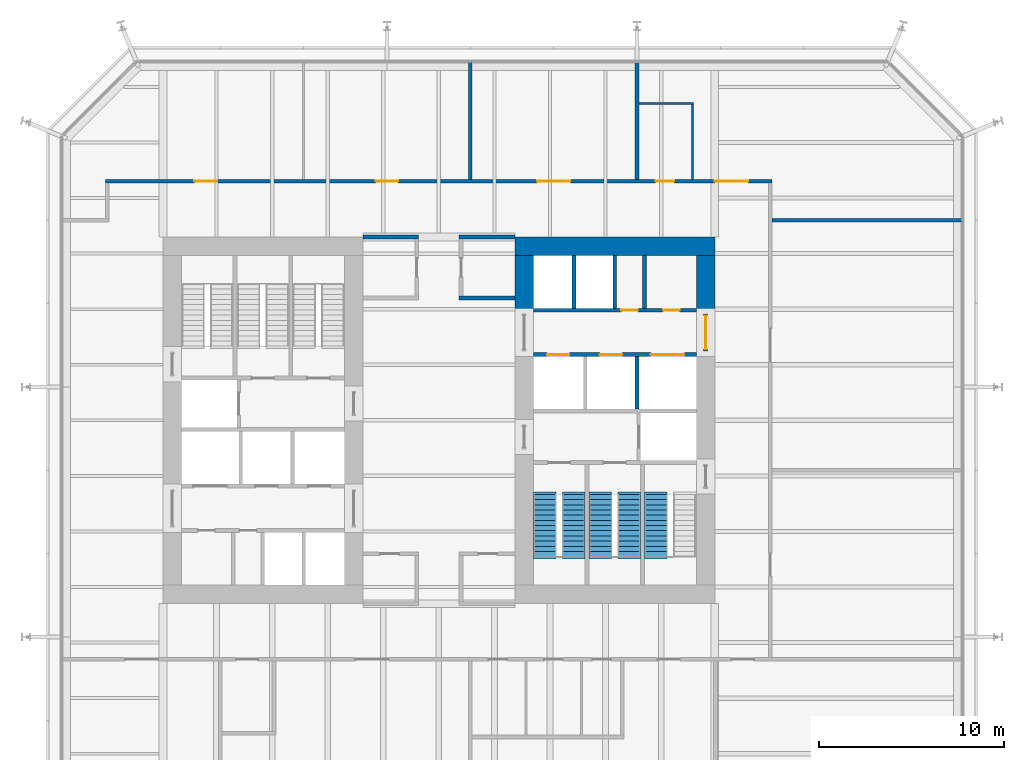
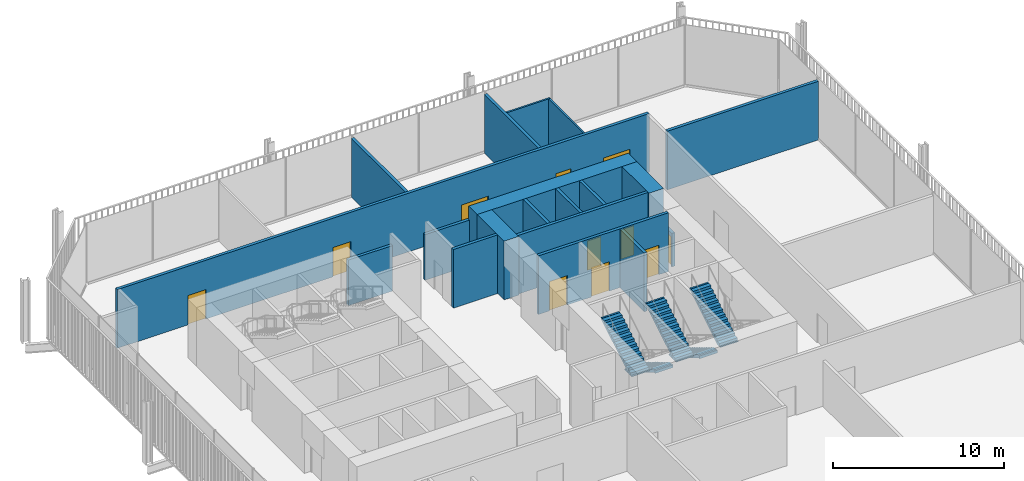
# One storey, part 18 of 20: 19 walls, 11 doors, 5 stair flights, 11 openings, 3 elements without a shape of their own.
"""IFC4 building model written with IfcOpenShell, lengths in metres."""

from ifc_helpers import new_model, si_unit, direction, frame, frame_2d, origin, place, context, subcontext, project, spatial, polyline, rectangle, outline, extrude, material, layer, layer_set, type_object, element, fill, aggregate, save


model = new_model("IFC4")

# Units and contexts
model_context = context("Model", 3, precision=1e-05, world=origin(), true_north=direction((0.0, 1.0)))
body_context = subcontext(model_context, "Body", "Model", "MODEL_VIEW")
ifc_project = project(units=[si_unit("LENGTHUNIT", "METRE"), si_unit("AREAUNIT", "SQUARE_METRE"), si_unit("VOLUMEUNIT", "CUBIC_METRE"), si_unit("PLANEANGLEUNIT", "RADIAN"), si_unit("MASSUNIT", "GRAM", prefix="KILO")], contexts=[model_context])

# Site, building, storey
site_placement = place(None, origin())
site = spatial("IfcSite", under=ifc_project, at=site_placement, CompositionType="ELEMENT")
building_placement = place(site_placement, origin())
building = spatial("IfcBuilding", under=site, at=building_placement, Name="Millrace Tower", CompositionType="ELEMENT")
storey_placement = place(building_placement, frame((0.0, 0.0, 77.60009765625)))
storey = spatial("IfcBuildingStorey", under=building, at=storey_placement, Name="L17", CompositionType="ELEMENT", Elevation=77.60009765625)

# Walls
ifc_material_1 = material(Name="Concrete C80", Category="concrete")
ifc_layer_1 = layer(ifc_material_1, 1.0)
ifc_layer_set_1 = layer_set([ifc_layer_1], Name="Concrete C80")
wall_type_1 = type_object("IfcWallType", Name="Core wall 1000 Concrete C80", PredefinedType="SHEAR", material=ifc_layer_set_1)
wall_1_placement = place(storey_placement, frame((14.89990234375, 9.39990234375, 0.0), z_axis=(0.0, 0.0, 1.0), x_axis=(-1.0, 0.0, 0.0)))
element("IfcWall", 1, at=wall_1_placement, inside=storey, type_object=wall_type_1, Name="Core wall E L17", PredefinedType="SHEAR", context=body_context, shape_type="SweptSolid", body=[
    extrude(rectangle(XDim=10.7998046875, YDim=1.0, at=frame_2d((5.39990234375, 0.0))), origin(), (0.0, 0.0, 1.0), 4.199951171875),
])
for number, where, z_axis, x_axis, name in (
    (2, (14.39990234375, 8.89990234375, 0.0), (0.0, 0.0, 1.0), (0.0, -1.0, 0.0), "Core wall E L17"),
    (3, (4.60009765625, 8.89990234375, 0.0), (0.0, 0.0, 1.0), (0.0, -1.0, 0.0), "Core wall E L17"),
):
    element("IfcWall", number, at=place(storey_placement, frame(where, z_axis=z_axis, x_axis=x_axis)), inside=storey, type_object=wall_type_1, Name=name, PredefinedType="SHEAR", context=body_context, shape_type="SweptSolid", body=[
        extrude(rectangle(XDim=3.14990234375, YDim=1.0, at=frame_2d((1.574951171875, 0.0))), origin(), (0.0, 0.0, 1.0), 4.199951171875),
    ])
ifc_material_2 = material(Name="Masonry partition, fire-rated", Category="masonry")
ifc_layer_2 = layer(ifc_material_2, 0.199951171875)
ifc_layer_set_2 = layer_set([ifc_layer_2], Name="Masonry partition, fire-rated")
wall_type_2 = type_object("IfcWallType", Name="Corridor wall 200", PredefinedType="PARTITIONING", material=ifc_layer_set_2)
wall_2_placement = place(storey_placement, frame((1.10009765625, 6.60009765625, 0.0), z_axis=(0.0, 0.0, 1.0), x_axis=(1.0, 0.0, 0.0)))
element("IfcWall", 4, at=wall_2_placement, inside=storey, type_object=wall_type_2, Name="Corridor wall L17", PredefinedType="PARTITIONING", context=body_context, shape_type="SweptSolid", body=[
    extrude(rectangle(XDim=3.0, YDim=0.199951171875, at=frame_2d((1.5, 0.0))), origin(), (0.0, 0.0, 1.0), 4.199951171875),
])
for number, where, z_axis, x_axis, name in (
    (5, (-4.10009765625, 9.89990234375, 0.0), (0.0, 0.0, 1.0), (1.0, 0.0, 0.0), "Corridor wall L17"),
    (6, (1.10009765625, 9.89990234375, 0.0), (0.0, 0.0, 1.0), (1.0, 0.0, 0.0), "Corridor wall L17"),
):
    element("IfcWall", number, at=place(storey_placement, frame(where, z_axis=z_axis, x_axis=x_axis)), inside=storey, type_object=wall_type_2, Name=name, PredefinedType="PARTITIONING", context=body_context, shape_type="SweptSolid", body=[
        extrude(rectangle(XDim=3.0, YDim=0.199951171875, at=frame_2d((1.5, 0.0))), origin(), (0.0, 0.0, 1.0), 3.2626953125),
    ])
wall_3_placement = place(storey_placement, frame((18.0, 10.800048828125, 0.0), z_axis=(0.0, 0.0, 1.0), x_axis=(1.0, 0.0, 0.0)))
element("IfcWall", 7, at=wall_3_placement, inside=storey, type_object=wall_type_2, Name="Corridor wall L17", PredefinedType="PARTITIONING", context=body_context, shape_type="SweptSolid", body=[
    extrude(rectangle(XDim=10.22998046875, YDim=0.199951171875, at=frame_2d((5.114990234375, 0.0))), origin(), (0.0, 0.0, 1.0), 4.199951171875),
])

# Wall, openings, doors
wall_4_placement = place(storey_placement, frame((-18.0, 12.89990234375, 0.0), z_axis=(0.0, 0.0, 1.0), x_axis=(1.0, 0.0, 0.0)))
wall_4 = element("IfcWall", 8, at=wall_4_placement, inside=storey, type_object=wall_type_2, Name="Corridor wall L17", PredefinedType="PARTITIONING", context=body_context, shape_type="SweptSolid", body=[
    extrude(rectangle(XDim=36.0, YDim=0.199951171875, at=frame_2d((18.0, 0.0))), origin(), (0.0, 0.0, 1.0), 4.199951171875),
])
opening_1_placement = place(wall_4_placement, frame((4.800048828125, 0.0, 0.0)))
opening_1 = element("IfcOpeningElement", 9, at=opening_1_placement, cuts=wall_4, Name="Opening 17-P010", PredefinedType="OPENING", context=body_context, shape_type="SweptSolid", body=[
    extrude(rectangle(XDim=1.199951171875, YDim=2.10009765625, at=frame_2d((0.60009765625, 1.050048828125))), frame((0.0, 0.10986328125, 0.0), z_axis=(0.0, -1.0, 0.0), x_axis=(1.0, 0.0, 0.0)), (0.0, 0.0, 1.0), 0.219970703125),
])
opening_2_placement = place(wall_4_placement, frame((14.60009765625, 0.0, 0.0)))
opening_2 = element("IfcOpeningElement", 10, at=opening_2_placement, cuts=wall_4, Name="Opening 17-P011", PredefinedType="OPENING", context=body_context, shape_type="SweptSolid", body=[
    extrude(rectangle(XDim=1.199951171875, YDim=2.10009765625, at=frame_2d((0.60009765625, 1.050048828125))), frame((0.0, 0.10986328125, 0.0), z_axis=(0.0, -1.0, 0.0), x_axis=(1.0, 0.0, 0.0)), (0.0, 0.0, 1.0), 0.219970703125),
])
opening_3_placement = place(wall_4_placement, frame((23.300048828125, 0.0, 0.0)))
opening_3 = element("IfcOpeningElement", 11, at=opening_3_placement, cuts=wall_4, Name="Opening 17-P012", PredefinedType="OPENING", context=body_context, shape_type="SweptSolid", body=[
    extrude(rectangle(XDim=1.800048828125, YDim=2.10009765625, at=frame_2d((0.89990234375, 1.050048828125))), frame((0.0, 0.10986328125, 0.0), z_axis=(0.0, -1.0, 0.0), x_axis=(1.0, 0.0, 0.0)), (0.0, 0.0, 1.0), 0.219970703125),
])
opening_4_placement = place(wall_4_placement, frame((32.89990234375, 0.0, 0.0)))
opening_4 = element("IfcOpeningElement", 12, at=opening_4_placement, cuts=wall_4, Name="Opening 17-P013", PredefinedType="OPENING", context=body_context, shape_type="SweptSolid", body=[
    extrude(rectangle(XDim=1.800048828125, YDim=2.10009765625, at=frame_2d((0.89990234375, 1.050048828125))), frame((0.0, 0.10986328125, 0.0), z_axis=(0.0, -1.0, 0.0), x_axis=(1.0, 0.0, 0.0)), (0.0, 0.0, 1.0), 0.219970703125),
])
opening_5_placement = place(wall_4_placement, frame((29.699951171875, 0.0, 0.0)))
opening_5 = element("IfcOpeningElement", 13, at=opening_5_placement, cuts=wall_4, Name="Opening 17-P014", PredefinedType="OPENING", context=body_context, shape_type="SweptSolid", body=[
    extrude(rectangle(XDim=1.0, YDim=2.10009765625, at=frame_2d((0.5, 1.050048828125))), frame((0.0, 0.10986328125, 0.0), z_axis=(0.0, -1.0, 0.0), x_axis=(1.0, 0.0, 0.0)), (0.0, 0.0, 1.0), 0.219970703125),
])
ifc_material_3 = material(Name="Steel door set, fire-rated", Category="steel")
door_type_1 = type_object("IfcDoorType", Name="Corridor door 1000 x 2100", OperationType="SINGLE_SWING_LEFT", PredefinedType="DOOR", material=ifc_material_3)
door_1_placement = place(opening_5_placement, origin())
door_1 = element("IfcDoor", 14, at=door_1_placement, inside=storey, type_object=door_type_1, Name="Door 17-P014", OperationType="SINGLE_SWING_RIGHT", OverallHeight=2.10009765625, OverallWidth=1.0, PredefinedType="DOOR", context=body_context, shape_type="SweptSolid", body=[
    extrude(rectangle(XDim=1.0, YDim=2.10009765625, at=frame_2d((0.5, 1.050048828125))), frame((0.0, 0.02490234375, 0.0), z_axis=(0.0, -1.0, 0.0), x_axis=(1.0, 0.0, 0.0)), (0.0, 0.0, 1.0), 0.050048828125),
])
fill(opening_5, door_1)
ifc_material_4 = material(Name="Steel door set, fire-rated", Category="steel")
door_type_2 = type_object("IfcDoorType", Name="Corridor door 1200 x 2100", OperationType="SINGLE_SWING_LEFT", PredefinedType="DOOR", material=ifc_material_4)
door_2_placement = place(opening_1_placement, origin())
door_2 = element("IfcDoor", 15, at=door_2_placement, inside=storey, type_object=door_type_2, Name="Door 17-P010", OperationType="SINGLE_SWING_LEFT", OverallHeight=2.10009765625, OverallWidth=1.199951171875, PredefinedType="DOOR", context=body_context, shape_type="SweptSolid", body=[
    extrude(rectangle(XDim=1.199951171875, YDim=2.10009765625, at=frame_2d((0.60009765625, 1.050048828125))), frame((0.0, 0.02490234375, 0.0), z_axis=(0.0, -1.0, 0.0), x_axis=(1.0, 0.0, 0.0)), (0.0, 0.0, 1.0), 0.050048828125),
])
fill(opening_1, door_2)
door_3_placement = place(opening_2_placement, origin())
door_3 = element("IfcDoor", 16, at=door_3_placement, inside=storey, type_object=door_type_2, Name="Door 17-P011", OperationType="SINGLE_SWING_LEFT", OverallHeight=2.10009765625, OverallWidth=1.199951171875, PredefinedType="DOOR", context=body_context, shape_type="SweptSolid", body=[
    extrude(rectangle(XDim=1.199951171875, YDim=2.10009765625, at=frame_2d((0.60009765625, 1.050048828125))), frame((0.0, 0.02490234375, 0.0), z_axis=(0.0, -1.0, 0.0), x_axis=(1.0, 0.0, 0.0)), (0.0, 0.0, 1.0), 0.050048828125),
])
fill(opening_2, door_3)
ifc_material_5 = material(Name="Steel door set, fire-rated", Category="steel")
door_type_3 = type_object("IfcDoorType", Name="Corridor door 1800 x 2100", OperationType="DOUBLE_DOOR_SINGLE_SWING", PredefinedType="DOOR", material=ifc_material_5)
door_4_placement = place(opening_4_placement, origin())
door_4 = element("IfcDoor", 17, at=door_4_placement, inside=storey, type_object=door_type_3, Name="Door 17-P013", OperationType="DOUBLE_DOOR_SINGLE_SWING", OverallHeight=2.10009765625, OverallWidth=1.800048828125, PredefinedType="DOOR", context=body_context, shape_type="SweptSolid", body=[
    extrude(rectangle(XDim=1.800048828125, YDim=2.10009765625, at=frame_2d((0.89990234375, 1.050048828125))), frame((0.0, 0.02490234375, 0.0), z_axis=(0.0, -1.0, 0.0), x_axis=(1.0, 0.0, 0.0)), (0.0, 0.0, 1.0), 0.050048828125),
])
fill(opening_4, door_4)
ifc_material_6 = material(Name="Steel door set, fire-rated", Category="steel")
door_type_4 = type_object("IfcDoorType", Name="Data hall door 1800 x 2100", OperationType="DOUBLE_DOOR_SINGLE_SWING", PredefinedType="DOOR", material=ifc_material_6)
door_5_placement = place(opening_3_placement, origin())
door_5 = element("IfcDoor", 18, at=door_5_placement, inside=storey, type_object=door_type_4, Name="Door 17-P012", OperationType="DOUBLE_DOOR_SINGLE_SWING", OverallHeight=2.10009765625, OverallWidth=1.800048828125, PredefinedType="DOOR", context=body_context, shape_type="SweptSolid", body=[
    extrude(rectangle(XDim=1.800048828125, YDim=2.10009765625, at=frame_2d((0.89990234375, 1.050048828125))), frame((0.0, 0.02490234375, 0.0), z_axis=(0.0, -1.0, 0.0), x_axis=(1.0, 0.0, 0.0)), (0.0, 0.0, 1.0), 0.050048828125),
])
fill(opening_3, door_5)

# Walls
for number, where, z_axis, x_axis, name in (
    (19, (10.699951171875, 13.0, 0.0), (0.0, 0.0, 1.0), (0.0, 1.0, 0.0), "Corridor wall L17"),
    (20, (1.699951171875, 13.0, 0.0), (0.0, 0.0, 1.0), (0.0, 1.0, 0.0), "Corridor wall L17"),
):
    element("IfcWall", number, at=place(storey_placement, frame(where, z_axis=z_axis, x_axis=x_axis)), inside=storey, type_object=wall_type_2, Name=name, PredefinedType="PARTITIONING", context=body_context, shape_type="SweptSolid", body=[
        extrude(rectangle(XDim=6.330078125, YDim=0.199951171875, at=frame_2d((3.1650390625, 0.0))), origin(), (0.0, 0.0, 1.0), 4.199951171875),
    ])

# Wall, openings, doors
ifc_material_7 = material(Name="Masonry partition, fire-rated", Category="masonry")
ifc_layer_3 = layer(ifc_material_7, 0.199951171875)
ifc_layer_set_3 = layer_set([ifc_layer_3], Name="Masonry partition, fire-rated")
wall_type_3 = type_object("IfcWallType", Name="Lift shaft wall 200", PredefinedType="PARTITIONING", material=ifc_layer_set_3)
wall_5_placement = place(storey_placement, frame((13.89990234375, 5.949951171875, 0.0), z_axis=(0.0, 0.0, 1.0), x_axis=(-1.0, 0.0, 0.0)))
wall_5 = element("IfcWall", 21, at=wall_5_placement, inside=storey, type_object=wall_type_3, Name="Lift shaft wall E L17", PredefinedType="PARTITIONING", context=body_context, shape_type="SweptSolid", body=[
    extrude(rectangle(XDim=8.7998046875, YDim=0.199951171875, at=frame_2d((4.39990234375, 0.0))), origin(), (0.0, 0.0, 1.0), 4.199951171875),
])
opening_6_placement = place(wall_5_placement, frame((0.8974609375, 0.0, 0.0)))
opening_6 = element("IfcOpeningElement", 22, at=opening_6_placement, cuts=wall_5, Name="Opening 17-C013", PredefinedType="OPENING", context=body_context, shape_type="SweptSolid", body=[
    extrude(rectangle(XDim=0.89990234375, YDim=2.10009765625, at=frame_2d((0.449951171875, 1.050048828125))), frame((0.0, 0.10986328125, 0.0), z_axis=(0.0, -1.0, 0.0), x_axis=(1.0, 0.0, 0.0)), (0.0, 0.0, 1.0), 0.219970703125),
])
opening_7_placement = place(wall_5_placement, frame((3.1474609375, 0.0, 0.0)))
opening_7 = element("IfcOpeningElement", 23, at=opening_7_placement, cuts=wall_5, Name="Opening 17-C014", PredefinedType="OPENING", context=body_context, shape_type="SweptSolid", body=[
    extrude(rectangle(XDim=0.89990234375, YDim=2.10009765625, at=frame_2d((0.449951171875, 1.050048828125))), frame((0.0, 0.10986328125, 0.0), z_axis=(0.0, -1.0, 0.0), x_axis=(1.0, 0.0, 0.0)), (0.0, 0.0, 1.0), 0.219970703125),
])
ifc_material_8 = material(Name="Steel door, fire-rated", Category="steel")
door_type_5 = type_object("IfcDoorType", Name="Service room door 900 x 2100", OperationType="SINGLE_SWING_LEFT", PredefinedType="DOOR", material=ifc_material_8)
door_6_placement = place(opening_6_placement, frame((0.89990234375, 0.0, 0.0), z_axis=(0.0, 0.0, 1.0), x_axis=(-1.0, 0.0, 0.0)))
door_6 = element("IfcDoor", 24, at=door_6_placement, inside=storey, type_object=door_type_5, Name="Service room door 17-C013", OperationType="SINGLE_SWING_RIGHT", OverallHeight=2.10009765625, OverallWidth=0.89990234375, PredefinedType="DOOR", context=body_context, shape_type="SweptSolid", body=[
    extrude(rectangle(XDim=0.89990234375, YDim=2.10009765625, at=frame_2d((0.449951171875, 1.050048828125))), frame((0.0, 0.02490234375, 0.0), z_axis=(0.0, -1.0, 0.0), x_axis=(1.0, 0.0, 0.0)), (0.0, 0.0, 1.0), 0.050048828125),
])
fill(opening_6, door_6)
door_7_placement = place(opening_7_placement, frame((0.89990234375, 0.0, 0.0), z_axis=(0.0, 0.0, 1.0), x_axis=(-1.0, 0.0, 0.0)))
door_7 = element("IfcDoor", 25, at=door_7_placement, inside=storey, type_object=door_type_5, Name="Service room door 17-C014", OperationType="SINGLE_SWING_RIGHT", OverallHeight=2.10009765625, OverallWidth=0.89990234375, PredefinedType="DOOR", context=body_context, shape_type="SweptSolid", body=[
    extrude(rectangle(XDim=0.89990234375, YDim=2.10009765625, at=frame_2d((0.449951171875, 1.050048828125))), frame((0.0, 0.02490234375, 0.0), z_axis=(0.0, -1.0, 0.0), x_axis=(1.0, 0.0, 0.0)), (0.0, 0.0, 1.0), 0.050048828125),
])
fill(opening_7, door_7)

wall_6_placement = place(storey_placement, frame((13.89990234375, 3.550048828125, 0.0), z_axis=(0.0, 0.0, 1.0), x_axis=(-1.0, 0.0, 0.0)))
wall_6 = element("IfcWall", 26, at=wall_6_placement, inside=storey, type_object=wall_type_3, Name="Lift shaft wall E L17", PredefinedType="PARTITIONING", context=body_context, shape_type="SweptSolid", body=[
    extrude(rectangle(XDim=8.7998046875, YDim=0.199951171875, at=frame_2d((4.39990234375, 0.0))), origin(), (0.0, 0.0, 1.0), 4.199951171875),
])
opening_8_placement = place(wall_6_placement, frame((0.64990234375, 0.0, 0.0)))
opening_8 = element("IfcOpeningElement", 27, at=opening_8_placement, cuts=wall_6, Name="Opening 17-LD13", PredefinedType="OPENING", context=body_context, shape_type="SweptSolid", body=[
    extrude(rectangle(XDim=1.800048828125, YDim=2.10009765625, at=frame_2d((0.89990234375, 1.050048828125))), frame((0.0, 0.10986328125, 0.0), z_axis=(0.0, -1.0, 0.0), x_axis=(1.0, 0.0, 0.0)), (0.0, 0.0, 1.0), 0.219970703125),
])
opening_9_placement = place(wall_6_placement, frame((4.0, 0.0, 0.0)))
opening_9 = element("IfcOpeningElement", 28, at=opening_9_placement, cuts=wall_6, Name="Opening 17-LD14", PredefinedType="OPENING", context=body_context, shape_type="SweptSolid", body=[
    extrude(rectangle(XDim=1.199951171875, YDim=2.10009765625, at=frame_2d((0.60009765625, 1.050048828125))), frame((0.0, 0.10986328125, 0.0), z_axis=(0.0, -1.0, 0.0), x_axis=(1.0, 0.0, 0.0)), (0.0, 0.0, 1.0), 0.219970703125),
])
opening_10_placement = place(wall_6_placement, frame((6.85009765625, 0.0, 0.0)))
opening_10 = element("IfcOpeningElement", 29, at=opening_10_placement, cuts=wall_6, Name="Opening 17-LD15", PredefinedType="OPENING", context=body_context, shape_type="SweptSolid", body=[
    extrude(rectangle(XDim=1.199951171875, YDim=2.10009765625, at=frame_2d((0.60009765625, 1.050048828125))), frame((0.0, 0.10986328125, 0.0), z_axis=(0.0, -1.0, 0.0), x_axis=(1.0, 0.0, 0.0)), (0.0, 0.0, 1.0), 0.219970703125),
])
ifc_material_9 = material(Name="Stainless steel, fire-rated", Category="steel")
door_type_6 = type_object("IfcDoorType", Name="Lift landing door 1200 x 2100", OperationType="DOUBLE_DOOR_SLIDING", PredefinedType="DOOR", material=ifc_material_9)
door_8_placement = place(opening_9_placement, origin())
door_8 = element("IfcDoor", 30, at=door_8_placement, inside=storey, type_object=door_type_6, Name="Lift landing door LF14 L17", OperationType="DOUBLE_DOOR_SLIDING", OverallHeight=2.10009765625, OverallWidth=1.199951171875, PredefinedType="DOOR", context=body_context, shape_type="SweptSolid", body=[
    extrude(rectangle(XDim=1.199951171875, YDim=2.10009765625, at=frame_2d((0.60009765625, 1.050048828125))), frame((0.0, 0.02490234375, 0.0), z_axis=(0.0, -1.0, 0.0), x_axis=(1.0, 0.0, 0.0)), (0.0, 0.0, 1.0), 0.050048828125),
])
fill(opening_9, door_8)
door_9_placement = place(opening_10_placement, origin())
door_9 = element("IfcDoor", 31, at=door_9_placement, inside=storey, type_object=door_type_6, Name="Lift landing door LF15 L17", OperationType="DOUBLE_DOOR_SLIDING", OverallHeight=2.10009765625, OverallWidth=1.199951171875, PredefinedType="DOOR", context=body_context, shape_type="SweptSolid", body=[
    extrude(rectangle(XDim=1.199951171875, YDim=2.10009765625, at=frame_2d((0.60009765625, 1.050048828125))), frame((0.0, 0.02490234375, 0.0), z_axis=(0.0, -1.0, 0.0), x_axis=(1.0, 0.0, 0.0)), (0.0, 0.0, 1.0), 0.050048828125),
])
fill(opening_10, door_9)
ifc_material_10 = material(Name="Stainless steel, fire-rated", Category="steel")
door_type_7 = type_object("IfcDoorType", Name="Lift landing door 1800 x 2100", OperationType="DOUBLE_DOOR_SLIDING", PredefinedType="DOOR", material=ifc_material_10)
door_10_placement = place(opening_8_placement, origin())
door_10 = element("IfcDoor", 32, at=door_10_placement, inside=storey, type_object=door_type_7, Name="Lift landing door LF13 L17", OperationType="DOUBLE_DOOR_SLIDING", OverallHeight=2.10009765625, OverallWidth=1.800048828125, PredefinedType="DOOR", context=body_context, shape_type="SweptSolid", body=[
    extrude(rectangle(XDim=1.800048828125, YDim=2.10009765625, at=frame_2d((0.89990234375, 1.050048828125))), frame((0.0, 0.02490234375, 0.0), z_axis=(0.0, -1.0, 0.0), x_axis=(1.0, 0.0, 0.0)), (0.0, 0.0, 1.0), 0.050048828125),
])
fill(opening_8, door_10)

# Walls
for number, where, z_axis, x_axis, name in (
    (33, (9.5, 8.89990234375, 0.0), (0.0, 0.0, 1.0), (0.0, -1.0, 0.0), "Lift shaft wall E L17"),
    (34, (7.300048828125, 8.89990234375, 0.0), (0.0, 0.0, 1.0), (0.0, -1.0, 0.0), "Lift shaft wall E L17"),
    (35, (10.699951171875, 3.449951171875, 0.0), (0.0, 0.0, 1.0), (0.0, -1.0, 0.0), "Lift shaft wall E L17"),
):
    element("IfcWall", number, at=place(storey_placement, frame(where, z_axis=z_axis, x_axis=x_axis)), inside=storey, type_object=wall_type_3, Name=name, PredefinedType="PARTITIONING", context=body_context, shape_type="SweptSolid", body=[
        extrude(rectangle(XDim=2.849853515625, YDim=0.199951171875, at=frame_2d((1.4248046875, 0.0))), origin(), (0.0, 0.0, 1.0), 4.199951171875),
    ])

# Wall, opening, door
ifc_material_11 = material(Name="Masonry partition, fire-rated", Category="masonry")
ifc_layer_4 = layer(ifc_material_11, 0.199951171875)
ifc_layer_set_4 = layer_set([ifc_layer_4], Name="Masonry partition, fire-rated")
wall_type_4 = type_object("IfcWallType", Name="Lobby wall 200", PredefinedType="PARTITIONING", material=ifc_layer_set_4)
wall_7_placement = place(storey_placement, frame((14.39990234375, 5.75, 0.0), z_axis=(0.0, 0.0, 1.0), x_axis=(0.0, -1.0, 0.0)))
wall_7 = element("IfcWall", 36, at=wall_7_placement, inside=storey, type_object=wall_type_4, Name="Lobby wall E L17", PredefinedType="PARTITIONING", context=body_context, shape_type="SweptSolid", body=[
    extrude(rectangle(XDim=2.0, YDim=0.199951171875, at=frame_2d((1.0, 0.0))), origin(), (0.0, 0.0, 1.0), 2.39990234375),
])
opening_11_placement = place(wall_7_placement, frame((0.10009765625, 0.0, 0.0)))
opening_11 = element("IfcOpeningElement", 37, at=opening_11_placement, cuts=wall_7, Name="Opening 17-C009", PredefinedType="OPENING", context=body_context, shape_type="SweptSolid", body=[
    extrude(rectangle(XDim=1.800048828125, YDim=2.10009765625, at=frame_2d((0.89990234375, 1.050048828125))), frame((0.0, 0.10986328125, 0.0), z_axis=(0.0, -1.0, 0.0), x_axis=(1.0, 0.0, 0.0)), (0.0, 0.0, 1.0), 0.219970703125),
])
ifc_material_12 = material(Name="Steel door, fire-rated", Category="steel")
door_type_8 = type_object("IfcDoorType", Name="Lobby door 1800 x 2100", OperationType="DOUBLE_DOOR_SINGLE_SWING", PredefinedType="DOOR", material=ifc_material_12)
door_11_placement = place(opening_11_placement, origin())
door_11 = element("IfcDoor", 38, at=door_11_placement, inside=storey, type_object=door_type_8, Name="Lobby door 17-C009", OperationType="DOUBLE_DOOR_SINGLE_SWING", OverallHeight=2.10009765625, OverallWidth=1.800048828125, PredefinedType="DOOR", context=body_context, shape_type="SweptSolid", body=[
    extrude(rectangle(XDim=1.800048828125, YDim=2.10009765625, at=frame_2d((0.89990234375, 1.050048828125))), frame((0.0, 0.02490234375, 0.0), z_axis=(0.0, -1.0, 0.0), x_axis=(1.0, 0.0, 0.0)), (0.0, 0.0, 1.0), 0.050048828125),
])
fill(opening_11, door_11)

# Walls
ifc_material_13 = material(Name="Gypsum board partition")
ifc_layer_5 = layer(ifc_material_13, 0.1201171875)
ifc_layer_set_5 = layer_set([ifc_layer_5], Name="Gypsum board partition")
wall_type_5 = type_object("IfcWallType", Name="Partition wall 120", PredefinedType="PARTITIONING", material=ifc_layer_set_5)
wall_8_placement = place(storey_placement, frame((10.800048828125, 17.10009765625, 0.0), z_axis=(0.0, 0.0, 1.0), x_axis=(1.0, 0.0, 0.0)))
element("IfcWall", 39, at=wall_8_placement, inside=storey, type_object=wall_type_5, Name="Partition wall L17", PredefinedType="PARTITIONING", context=body_context, shape_type="SweptSolid", body=[
    extrude(rectangle(XDim=2.9599609375, YDim=0.1201171875, at=frame_2d((1.47998046875, 0.0))), origin(), (0.0, 0.0, 1.0), 4.199951171875),
])
wall_9_placement = place(storey_placement, frame((13.699951171875, 13.0, 0.0), z_axis=(0.0, 0.0, 1.0), x_axis=(0.0, 1.0, 0.0)))
element("IfcWall", 40, at=wall_9_placement, inside=storey, type_object=wall_type_5, Name="Partition wall L17", PredefinedType="PARTITIONING", context=body_context, shape_type="SweptSolid", body=[
    extrude(rectangle(XDim=4.0400390625, YDim=0.1201171875, at=frame_2d((2.02001953125, 0.0))), origin(), (0.0, 0.0, 1.0), 4.199951171875),
])
ifc_material_14 = material(Name="Masonry partition, fire-rated", Category="masonry")
ifc_layer_6 = layer(ifc_material_14, 0.199951171875)
ifc_layer_set_6 = layer_set([ifc_layer_6], Name="Masonry partition, fire-rated")
wall_type_6 = type_object("IfcWallType", Name="Room partition 200", PredefinedType="PARTITIONING", material=ifc_layer_set_6)
wall_10_placement = place(storey_placement, frame((11.10498046875, 8.89990234375, 0.0), z_axis=(0.0, 0.0, 1.0), x_axis=(0.0, -1.0, 0.0)))
element("IfcWall", 41, at=wall_10_placement, inside=storey, type_object=wall_type_6, Name="Room partition E L17", PredefinedType="PARTITIONING", context=body_context, shape_type="SweptSolid", body=[
    extrude(rectangle(XDim=2.849853515625, YDim=0.199951171875, at=frame_2d((1.4248046875, 0.0))), origin(), (0.0, 0.0, 1.0), 4.199951171875),
])

# Stair, stair flight
ifc_material_15 = material(Name="Concrete C35", Category="concrete")
stair_type = type_object("IfcStairType", Name="Exit stair", PredefinedType="HALF_TURN_STAIR", material=ifc_material_15)
placement = place(storey_placement, origin())
stair_1 = element("IfcStair", 42, at=placement, inside=storey, type_object=stair_type, Name="Stair 1 E L17", PredefinedType="HALF_TURN_STAIR")
ifc_material_16 = material(Name="Concrete C35", Category="concrete")
stair_flight_type = type_object("IfcStairFlightType", Name="Exit stair flight", PredefinedType="STRAIGHT", material=ifc_material_16)
stair_flight_1_placement = place(storey_placement, frame((11.7099609375, -7.360107421875, 2.199951171875), z_axis=(0.0, 0.0, 1.0), x_axis=(0.0, 1.0, 0.0)))
stair_flight_1 = element("IfcStairFlight", 43, at=stair_flight_1_placement, type_object=stair_flight_type, Name="ST12 flight 2", NumberOfRisers=13, NumberOfTreads=12, PredefinedType="STRAIGHT", RiserHeight=0.169230769, TreadLength=0.28, context=body_context, shape_type="SweptSolid", body=[
    extrude(outline(polyline([(-0.1201171875, -0.0400390625), (-0.1201171875, 0.0), (0.0, 0.0), (0.0, 0.169189453125), (0.280029296875, 0.169189453125), (0.280029296875, 0.33837890625), (0.56005859375, 0.33837890625), (0.56005859375, 0.5078125), (0.840087890625, 0.5078125), (0.840087890625, 0.677001953125), (1.1201171875, 0.677001953125), (1.1201171875, 0.84619140625), (1.39990234375, 0.84619140625), (1.39990234375, 1.015380859375), (1.679931640625, 1.015380859375), (1.679931640625, 1.1845703125), (1.9599609375, 1.1845703125), (1.9599609375, 1.353759765625), (2.239990234375, 1.353759765625), (2.239990234375, 1.523193359375), (2.52001953125, 1.523193359375), (2.52001953125, 1.6923828125), (2.800048828125, 1.6923828125), (2.800048828125, 1.861572265625), (3.080078125, 1.861572265625), (3.080078125, 2.03076171875), (3.360107421875, 2.03076171875), (3.360107421875, 2.05078125), (3.47998046875, 2.05078125), (3.47998046875, 1.855712890625), (3.360107421875, 1.855712890625), (0.289794921875, 0.0), (0.289794921875, -0.0400390625), (-0.1201171875, -0.0400390625)])), frame((0.0, 0.60986328125, 0.0), z_axis=(0.0, -1.0, 0.0), x_axis=(1.0, 0.0, 0.0)), (0.0, 0.0, 1.0), 1.219970703125),
])
aggregate(stair_1, [stair_flight_1])

# Stair, stair flights
stair_2 = element("IfcStair", 44, at=placement, inside=storey, type_object=stair_type, Name="Stair 2 E L17", PredefinedType="HALF_TURN_STAIR")
stair_flight_2_placement = place(storey_placement, frame((10.2900390625, -4.0, 0.0), z_axis=(0.0, 0.0, 1.0), x_axis=(0.0, -1.0, 0.0)))
stair_flight_2 = element("IfcStairFlight", 45, at=stair_flight_2_placement, type_object=stair_flight_type, Name="ST12 flight 1", NumberOfRisers=13, NumberOfTreads=12, PredefinedType="STRAIGHT", RiserHeight=0.169230769, TreadLength=0.28, context=body_context, shape_type="SweptSolid", body=[
    extrude(outline(polyline([(-0.1201171875, -0.0400390625), (-0.1201171875, 0.0), (0.0, 0.0), (0.0, 0.169189453125), (0.280029296875, 0.169189453125), (0.280029296875, 0.33837890625), (0.56005859375, 0.33837890625), (0.56005859375, 0.5078125), (0.840087890625, 0.5078125), (0.840087890625, 0.677001953125), (1.1201171875, 0.677001953125), (1.1201171875, 0.84619140625), (1.39990234375, 0.84619140625), (1.39990234375, 1.015380859375), (1.679931640625, 1.015380859375), (1.679931640625, 1.1845703125), (1.9599609375, 1.1845703125), (1.9599609375, 1.353759765625), (2.239990234375, 1.353759765625), (2.239990234375, 1.523193359375), (2.52001953125, 1.523193359375), (2.52001953125, 1.6923828125), (2.800048828125, 1.6923828125), (2.800048828125, 1.861572265625), (3.080078125, 1.861572265625), (3.080078125, 2.03076171875), (3.360107421875, 2.03076171875), (3.360107421875, 2.05078125), (3.47998046875, 2.05078125), (3.47998046875, 1.855712890625), (3.360107421875, 1.855712890625), (0.289794921875, 0.0), (0.289794921875, -0.0400390625), (-0.1201171875, -0.0400390625)])), frame((0.0, 0.60986328125, 0.0), z_axis=(0.0, -1.0, 0.0), x_axis=(1.0, 0.0, 0.0)), (0.0, 0.0, 1.0), 1.219970703125),
])
stair_flight_3_placement = place(storey_placement, frame((8.7099609375, -7.360107421875, 2.199951171875), z_axis=(0.0, 0.0, 1.0), x_axis=(0.0, 1.0, 0.0)))
stair_flight_3 = element("IfcStairFlight", 46, at=stair_flight_3_placement, type_object=stair_flight_type, Name="ST12 flight 2", NumberOfRisers=13, NumberOfTreads=12, PredefinedType="STRAIGHT", RiserHeight=0.169230769, TreadLength=0.28, context=body_context, shape_type="SweptSolid", body=[
    extrude(outline(polyline([(-0.1201171875, -0.0400390625), (-0.1201171875, 0.0), (0.0, 0.0), (0.0, 0.169189453125), (0.280029296875, 0.169189453125), (0.280029296875, 0.33837890625), (0.56005859375, 0.33837890625), (0.56005859375, 0.5078125), (0.840087890625, 0.5078125), (0.840087890625, 0.677001953125), (1.1201171875, 0.677001953125), (1.1201171875, 0.84619140625), (1.39990234375, 0.84619140625), (1.39990234375, 1.015380859375), (1.679931640625, 1.015380859375), (1.679931640625, 1.1845703125), (1.9599609375, 1.1845703125), (1.9599609375, 1.353759765625), (2.239990234375, 1.353759765625), (2.239990234375, 1.523193359375), (2.52001953125, 1.523193359375), (2.52001953125, 1.6923828125), (2.800048828125, 1.6923828125), (2.800048828125, 1.861572265625), (3.080078125, 1.861572265625), (3.080078125, 2.03076171875), (3.360107421875, 2.03076171875), (3.360107421875, 2.05078125), (3.47998046875, 2.05078125), (3.47998046875, 1.855712890625), (3.360107421875, 1.855712890625), (0.289794921875, 0.0), (0.289794921875, -0.0400390625), (-0.1201171875, -0.0400390625)])), frame((0.0, 0.60986328125, 0.0), z_axis=(0.0, -1.0, 0.0), x_axis=(1.0, 0.0, 0.0)), (0.0, 0.0, 1.0), 1.219970703125),
])
aggregate(stair_2, [stair_flight_2, stair_flight_3])

stair_3 = element("IfcStair", 47, at=placement, inside=storey, type_object=stair_type, Name="Stair 3 E L17", PredefinedType="HALF_TURN_STAIR")
stair_flight_4_placement = place(storey_placement, frame((7.2900390625, -4.0, 0.0), z_axis=(0.0, 0.0, 1.0), x_axis=(0.0, -1.0, 0.0)))
stair_flight_4 = element("IfcStairFlight", 48, at=stair_flight_4_placement, type_object=stair_flight_type, Name="ST12 flight 1", NumberOfRisers=13, NumberOfTreads=12, PredefinedType="STRAIGHT", RiserHeight=0.169230769, TreadLength=0.28, context=body_context, shape_type="SweptSolid", body=[
    extrude(outline(polyline([(-0.1201171875, -0.0400390625), (-0.1201171875, 0.0), (0.0, 0.0), (0.0, 0.169189453125), (0.280029296875, 0.169189453125), (0.280029296875, 0.33837890625), (0.56005859375, 0.33837890625), (0.56005859375, 0.5078125), (0.840087890625, 0.5078125), (0.840087890625, 0.677001953125), (1.1201171875, 0.677001953125), (1.1201171875, 0.84619140625), (1.39990234375, 0.84619140625), (1.39990234375, 1.015380859375), (1.679931640625, 1.015380859375), (1.679931640625, 1.1845703125), (1.9599609375, 1.1845703125), (1.9599609375, 1.353759765625), (2.239990234375, 1.353759765625), (2.239990234375, 1.523193359375), (2.52001953125, 1.523193359375), (2.52001953125, 1.6923828125), (2.800048828125, 1.6923828125), (2.800048828125, 1.861572265625), (3.080078125, 1.861572265625), (3.080078125, 2.03076171875), (3.360107421875, 2.03076171875), (3.360107421875, 2.05078125), (3.47998046875, 2.05078125), (3.47998046875, 1.855712890625), (3.360107421875, 1.855712890625), (0.289794921875, 0.0), (0.289794921875, -0.0400390625), (-0.1201171875, -0.0400390625)])), frame((0.0, 0.60986328125, 0.0), z_axis=(0.0, -1.0, 0.0), x_axis=(1.0, 0.0, 0.0)), (0.0, 0.0, 1.0), 1.219970703125),
])
stair_flight_5_placement = place(storey_placement, frame((5.7099609375, -7.360107421875, 2.199951171875), z_axis=(0.0, 0.0, 1.0), x_axis=(0.0, 1.0, 0.0)))
stair_flight_5 = element("IfcStairFlight", 49, at=stair_flight_5_placement, type_object=stair_flight_type, Name="ST12 flight 2", NumberOfRisers=13, NumberOfTreads=12, PredefinedType="STRAIGHT", RiserHeight=0.169230769, TreadLength=0.28, context=body_context, shape_type="SweptSolid", body=[
    extrude(outline(polyline([(-0.1201171875, -0.0400390625), (-0.1201171875, 0.0), (0.0, 0.0), (0.0, 0.169189453125), (0.280029296875, 0.169189453125), (0.280029296875, 0.33837890625), (0.56005859375, 0.33837890625), (0.56005859375, 0.5078125), (0.840087890625, 0.5078125), (0.840087890625, 0.677001953125), (1.1201171875, 0.677001953125), (1.1201171875, 0.84619140625), (1.39990234375, 0.84619140625), (1.39990234375, 1.015380859375), (1.679931640625, 1.015380859375), (1.679931640625, 1.1845703125), (1.9599609375, 1.1845703125), (1.9599609375, 1.353759765625), (2.239990234375, 1.353759765625), (2.239990234375, 1.523193359375), (2.52001953125, 1.523193359375), (2.52001953125, 1.6923828125), (2.800048828125, 1.6923828125), (2.800048828125, 1.861572265625), (3.080078125, 1.861572265625), (3.080078125, 2.03076171875), (3.360107421875, 2.03076171875), (3.360107421875, 2.05078125), (3.47998046875, 2.05078125), (3.47998046875, 1.855712890625), (3.360107421875, 1.855712890625), (0.289794921875, 0.0), (0.289794921875, -0.0400390625), (-0.1201171875, -0.0400390625)])), frame((0.0, 0.60986328125, 0.0), z_axis=(0.0, -1.0, 0.0), x_axis=(1.0, 0.0, 0.0)), (0.0, 0.0, 1.0), 1.219970703125),
])
aggregate(stair_3, [stair_flight_4, stair_flight_5])

save(model, "model.ifc")
